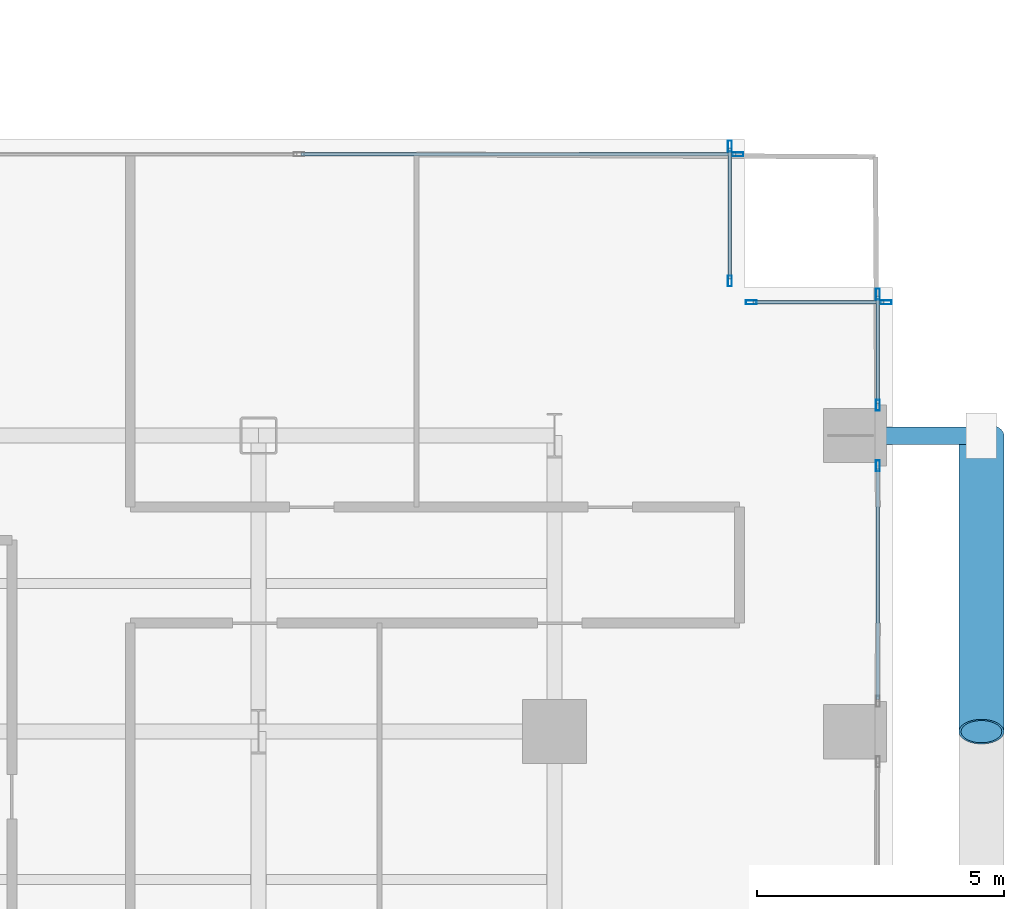
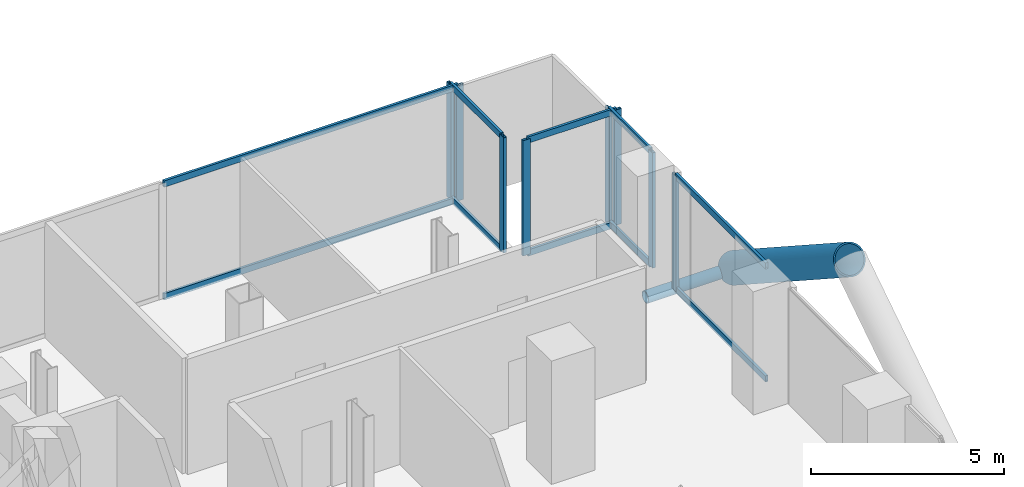
# One storey, part 12 of 27: 20 members, 5 elements without a shape of their own.
"""IFC4 building model written with IfcOpenShell, lengths in metres."""

from ifc_helpers import new_model, si_unit, direction, frame, origin, origin_2d, place, context, subcontext, project, spatial, hollow_rectangle, hollow_circle, extrude, material, layer, layer_set, material_profile, profile_set, type_object, element, aggregate, save


model = new_model("IFC4")

# Units and contexts
model_context = context("Model", 3, precision=1e-05, world=origin(), true_north=direction((0.0, 1.0)))
body_context = subcontext(model_context, "Body", "Model", "MODEL_VIEW")
ifc_project = project(units=[si_unit("LENGTHUNIT", "METRE"), si_unit("AREAUNIT", "SQUARE_METRE"), si_unit("VOLUMEUNIT", "CUBIC_METRE"), si_unit("PLANEANGLEUNIT", "RADIAN"), si_unit("MASSUNIT", "GRAM", prefix="KILO"), si_unit("THERMODYNAMICTEMPERATUREUNIT", "KELVIN"), si_unit("POWERUNIT", "WATT")], contexts=[model_context])

# Site, building, storey
site_placement = place(None, origin())
site = spatial("IfcSite", under=ifc_project, at=site_placement, CompositionType="ELEMENT")
building_placement = place(site_placement, origin())
building = spatial("IfcBuilding", under=site, at=building_placement, Name="Svarakhadi Broadcast Tower", CompositionType="ELEMENT")
storey_placement = place(building_placement, frame((0.0, 0.0, 87.0)))
storey = spatial("IfcBuildingStorey", under=building, at=storey_placement, Name="L20", CompositionType="ELEMENT", Elevation=87.0)

# Curtain wall, member
ifc_material_1 = material(Name="Anodised Bronze Aluminium AA 6063-T6", Category="aluminium")
ifc_layer = layer(ifc_material_1, 0.219970703125)
ifc_layer_set = layer_set([ifc_layer], Name="Anodised Bronze Aluminium AA 6063-T6")
curtain_wall_type = type_object("IfcCurtainWallType", Name="CW_Sys_02", PredefinedType="NOTDEFINED", material=ifc_layer_set)
curtain_wall_1_placement = place(storey_placement, origin())
curtain_wall_1 = element("IfcCurtainWall", 1, at=curtain_wall_1_placement, inside=storey, type_object=curtain_wall_type, Name="L20 Unitised Facade Curtain Wall 10", PredefinedType="NOTDEFINED")
ifc_material_profile_1 = material_profile(ifc_material_1, hollow_rectangle(XDim=0.0849609375, YDim=0.219970703125, WallThickness=0.006103515625, at=origin_2d()), Name="ALU MULLION 220x85x6")
ifc_profile_set_1 = profile_set([ifc_material_profile_1], Name="Anodised Bronze Aluminium AA 6063-T6")
member_type_1 = type_object("IfcMemberType", Name="CW_Sys_02_Mul", PredefinedType="MULLION", material=ifc_profile_set_1)
member_1_placement = place(storey_placement, frame((50.867431640625, 23.699951171875, 0.0), z_axis=(0.0, 0.0, 1.0), x_axis=(0.0, 1.0, 0.0)))
member_1 = element("IfcMember", 2, at=member_1_placement, type_object=member_type_1, Name="CW-02 mullion 4", PredefinedType="MULLION", context=body_context, shape_type="SweptSolid", body=[
    extrude(hollow_rectangle(XDim=0.0849609375, YDim=0.219970703125, WallThickness=0.006103515625, at=origin_2d()), origin(), (0.0, 0.0, 1.0), 3.64990234375),
])

# Curtain wall, members
curtain_wall_2_placement = place(storey_placement, origin())
curtain_wall_2 = element("IfcCurtainWall", 3, at=curtain_wall_2_placement, inside=storey, type_object=curtain_wall_type, Name="L20 Unitised Facade Curtain Wall 11", PredefinedType="NOTDEFINED")
member_2_placement = place(storey_placement, frame((50.699951171875, 23.867431640625, 0.0), z_axis=(0.0, 0.0, 1.0), x_axis=(1.0, 0.0, 0.0)))
member_2 = element("IfcMember", 4, at=member_2_placement, type_object=member_type_1, Name="CW-02 mullion 1", PredefinedType="MULLION", context=body_context, shape_type="SweptSolid", body=[
    extrude(hollow_rectangle(XDim=0.0849609375, YDim=0.219970703125, WallThickness=0.006103515625, at=origin_2d()), origin(), (0.0, 0.0, 1.0), 3.64990234375),
])
member_3_placement = place(storey_placement, frame((50.699951171875, 21.132568359375, 0.0), z_axis=(0.0, 0.0, 1.0), x_axis=(1.0, 0.0, 0.0)))
member_3 = element("IfcMember", 5, at=member_3_placement, type_object=member_type_1, Name="CW-02 mullion 2", PredefinedType="MULLION", context=body_context, shape_type="SweptSolid", body=[
    extrude(hollow_rectangle(XDim=0.0849609375, YDim=0.219970703125, WallThickness=0.006103515625, at=origin_2d()), origin(), (0.0, 0.0, 1.0), 3.64990234375),
])

curtain_wall_3_placement = place(storey_placement, origin())
curtain_wall_3 = element("IfcCurtainWall", 6, at=curtain_wall_3_placement, inside=storey, type_object=curtain_wall_type, Name="L20 Unitised Facade Curtain Wall 12", PredefinedType="NOTDEFINED")
member_4_placement = place(storey_placement, frame((51.132568359375, 20.699951171875, 0.0), z_axis=(0.0, 0.0, 1.0), x_axis=(0.0, 1.0, 0.0)))
member_4 = element("IfcMember", 7, at=member_4_placement, type_object=member_type_1, Name="CW-02 mullion 1", PredefinedType="MULLION", context=body_context, shape_type="SweptSolid", body=[
    extrude(hollow_rectangle(XDim=0.0849609375, YDim=0.219970703125, WallThickness=0.006103515625, at=origin_2d()), origin(), (0.0, 0.0, 1.0), 3.64990234375),
])
member_5_placement = place(storey_placement, frame((53.867431640625, 20.699951171875, 0.0), z_axis=(0.0, 0.0, 1.0), x_axis=(0.0, 1.0, 0.0)))
member_5 = element("IfcMember", 8, at=member_5_placement, type_object=member_type_1, Name="CW-02 mullion 2", PredefinedType="MULLION", context=body_context, shape_type="SweptSolid", body=[
    extrude(hollow_rectangle(XDim=0.0849609375, YDim=0.219970703125, WallThickness=0.006103515625, at=origin_2d()), origin(), (0.0, 0.0, 1.0), 3.64990234375),
])

curtain_wall_4_placement = place(storey_placement, origin())
curtain_wall_4 = element("IfcCurtainWall", 9, at=curtain_wall_4_placement, inside=storey, type_object=curtain_wall_type, Name="L20 Unitised Facade Curtain Wall 13 Bay 1", PredefinedType="NOTDEFINED")
member_6_placement = place(storey_placement, frame((53.699951171875, 20.867431640625, 0.0), z_axis=(0.0, 0.0, 1.0), x_axis=(1.0, 0.0, 0.0)))
member_6 = element("IfcMember", 10, at=member_6_placement, type_object=member_type_1, Name="CW-02 mullion 1", PredefinedType="MULLION", context=body_context, shape_type="SweptSolid", body=[
    extrude(hollow_rectangle(XDim=0.0849609375, YDim=0.219970703125, WallThickness=0.006103515625, at=origin_2d()), origin(), (0.0, 0.0, 1.0), 3.64990234375),
])
member_7_placement = place(storey_placement, frame((53.699951171875, 18.612548828125, 0.0), z_axis=(0.0, 0.0, 1.0), x_axis=(1.0, 0.0, 0.0)))
member_7 = element("IfcMember", 11, at=member_7_placement, type_object=member_type_1, Name="CW-02 mullion 2", PredefinedType="MULLION", context=body_context, shape_type="SweptSolid", body=[
    extrude(hollow_rectangle(XDim=0.0849609375, YDim=0.219970703125, WallThickness=0.006103515625, at=origin_2d()), origin(), (0.0, 0.0, 1.0), 3.64990234375),
])

# Curtain wall, member
curtain_wall_5_placement = place(storey_placement, origin())
curtain_wall_5 = element("IfcCurtainWall", 12, at=curtain_wall_5_placement, inside=storey, type_object=curtain_wall_type, Name="L20 Unitised Facade Curtain Wall 13 Bay 2", PredefinedType="NOTDEFINED")
member_8_placement = place(storey_placement, frame((53.699951171875, 17.387451171875, 0.0), z_axis=(0.0, 0.0, 1.0), x_axis=(1.0, 0.0, 0.0)))
member_8 = element("IfcMember", 13, at=member_8_placement, type_object=member_type_1, Name="CW-02 mullion 1", PredefinedType="MULLION", context=body_context, shape_type="SweptSolid", body=[
    extrude(hollow_rectangle(XDim=0.0849609375, YDim=0.219970703125, WallThickness=0.006103515625, at=origin_2d()), origin(), (0.0, 0.0, 1.0), 3.64990234375),
])

# Member
ifc_material_profile_2 = material_profile(ifc_material_1, hollow_rectangle(XDim=0.074951171875, YDim=0.199951171875, WallThickness=0.0048828125, at=origin_2d()), Name="ALU TRANSOM 200x75x5")
ifc_profile_set_2 = profile_set([ifc_material_profile_2], Name="Anodised Bronze Aluminium AA 6063-T6")
member_type_2 = type_object("IfcMemberType", Name="CW_Sys_02_Trn", PredefinedType="USERDEFINED", material=ifc_profile_set_2)
member_9_placement = place(storey_placement, frame((42.012451171875, 23.699951171875, 0.03759765625), z_axis=(1.0, 0.0, 0.0), x_axis=(0.0, 1.0, 0.0)))
member_9 = element("IfcMember", 14, at=member_9_placement, type_object=member_type_2, Name="CW-02 transom 3.1", ObjectType="TRANSOM", PredefinedType="USERDEFINED", context=body_context, shape_type="SweptSolid", body=[
    extrude(hollow_rectangle(XDim=0.074951171875, YDim=0.199951171875, WallThickness=0.0048828125, at=origin_2d()), origin(), (0.0, 0.0, 1.0), 8.8125),
])

member_10_placement = place(storey_placement, frame((42.012451171875, 23.699951171875, 3.612548828125), z_axis=(1.0, 0.0, 0.0), x_axis=(0.0, 1.0, 0.0)))
member_10 = element("IfcMember", 15, at=member_10_placement, type_object=member_type_2, Name="CW-02 transom 3.2", ObjectType="TRANSOM", PredefinedType="USERDEFINED", context=body_context, shape_type="SweptSolid", body=[
    extrude(hollow_rectangle(XDim=0.074951171875, YDim=0.199951171875, WallThickness=0.0048828125, at=origin_2d()), origin(), (0.0, 0.0, 1.0), 8.8125),
])

aggregate(curtain_wall_1, [member_1, member_9, member_10])

member_11_placement = place(storey_placement, frame((50.699951171875, 23.824951171875, 0.03759765625), z_axis=(0.0, -1.0, 0.0), x_axis=(1.0, 0.0, 0.0)))
member_11 = element("IfcMember", 16, at=member_11_placement, type_object=member_type_2, Name="CW-02 transom 1.1", ObjectType="TRANSOM", PredefinedType="USERDEFINED", context=body_context, shape_type="SweptSolid", body=[
    extrude(hollow_rectangle(XDim=0.074951171875, YDim=0.199951171875, WallThickness=0.0048828125, at=origin_2d()), origin(), (0.0, 0.0, 1.0), 2.64990234375),
])

member_12_placement = place(storey_placement, frame((50.699951171875, 23.824951171875, 3.612548828125), z_axis=(0.0, -1.0, 0.0), x_axis=(1.0, 0.0, 0.0)))
member_12 = element("IfcMember", 17, at=member_12_placement, type_object=member_type_2, Name="CW-02 transom 1.2", ObjectType="TRANSOM", PredefinedType="USERDEFINED", context=body_context, shape_type="SweptSolid", body=[
    extrude(hollow_rectangle(XDim=0.074951171875, YDim=0.199951171875, WallThickness=0.0048828125, at=origin_2d()), origin(), (0.0, 0.0, 1.0), 2.64990234375),
])

aggregate(curtain_wall_2, [member_2, member_3, member_11, member_12])

member_13_placement = place(storey_placement, frame((51.175048828125, 20.699951171875, 0.03759765625), z_axis=(1.0, 0.0, 0.0), x_axis=(0.0, 1.0, 0.0)))
member_13 = element("IfcMember", 18, at=member_13_placement, type_object=member_type_2, Name="CW-02 transom 1.1", ObjectType="TRANSOM", PredefinedType="USERDEFINED", context=body_context, shape_type="SweptSolid", body=[
    extrude(hollow_rectangle(XDim=0.074951171875, YDim=0.199951171875, WallThickness=0.0048828125, at=origin_2d()), origin(), (0.0, 0.0, 1.0), 2.64990234375),
])

member_14_placement = place(storey_placement, frame((51.175048828125, 20.699951171875, 3.612548828125), z_axis=(1.0, 0.0, 0.0), x_axis=(0.0, 1.0, 0.0)))
member_14 = element("IfcMember", 19, at=member_14_placement, type_object=member_type_2, Name="CW-02 transom 1.2", ObjectType="TRANSOM", PredefinedType="USERDEFINED", context=body_context, shape_type="SweptSolid", body=[
    extrude(hollow_rectangle(XDim=0.074951171875, YDim=0.199951171875, WallThickness=0.0048828125, at=origin_2d()), origin(), (0.0, 0.0, 1.0), 2.64990234375),
])

aggregate(curtain_wall_3, [member_4, member_5, member_13, member_14])

member_15_placement = place(storey_placement, frame((53.699951171875, 20.824951171875, 0.03759765625), z_axis=(0.0, -1.0, 0.0), x_axis=(1.0, 0.0, 0.0)))
member_15 = element("IfcMember", 20, at=member_15_placement, type_object=member_type_2, Name="CW-02 transom 1.1", ObjectType="TRANSOM", PredefinedType="USERDEFINED", context=body_context, shape_type="SweptSolid", body=[
    extrude(hollow_rectangle(XDim=0.074951171875, YDim=0.199951171875, WallThickness=0.0048828125, at=origin_2d()), origin(), (0.0, 0.0, 1.0), 2.169921875),
])

member_16_placement = place(storey_placement, frame((53.699951171875, 20.824951171875, 3.612548828125), z_axis=(0.0, -1.0, 0.0), x_axis=(1.0, 0.0, 0.0)))
member_16 = element("IfcMember", 21, at=member_16_placement, type_object=member_type_2, Name="CW-02 transom 1.2", ObjectType="TRANSOM", PredefinedType="USERDEFINED", context=body_context, shape_type="SweptSolid", body=[
    extrude(hollow_rectangle(XDim=0.074951171875, YDim=0.199951171875, WallThickness=0.0048828125, at=origin_2d()), origin(), (0.0, 0.0, 1.0), 2.169921875),
])

aggregate(curtain_wall_4, [member_6, member_7, member_15, member_16])

member_17_placement = place(storey_placement, frame((53.699951171875, 17.344970703125, 0.03759765625), z_axis=(0.0, -1.0, 0.0), x_axis=(1.0, 0.0, 0.0)))
member_17 = element("IfcMember", 22, at=member_17_placement, type_object=member_type_2, Name="CW-02 transom 1.1", ObjectType="TRANSOM", PredefinedType="USERDEFINED", context=body_context, shape_type="SweptSolid", body=[
    extrude(hollow_rectangle(XDim=0.074951171875, YDim=0.199951171875, WallThickness=0.0048828125, at=origin_2d()), origin(), (0.0, 0.0, 1.0), 4.68994140625),
])

member_18_placement = place(storey_placement, frame((53.699951171875, 17.344970703125, 3.612548828125), z_axis=(0.0, -1.0, 0.0), x_axis=(1.0, 0.0, 0.0)))
member_18 = element("IfcMember", 23, at=member_18_placement, type_object=member_type_2, Name="CW-02 transom 1.2", ObjectType="TRANSOM", PredefinedType="USERDEFINED", context=body_context, shape_type="SweptSolid", body=[
    extrude(hollow_rectangle(XDim=0.074951171875, YDim=0.199951171875, WallThickness=0.0048828125, at=origin_2d()), origin(), (0.0, 0.0, 1.0), 4.68994140625),
])

aggregate(curtain_wall_5, [member_8, member_17, member_18])

# Members
ifc_material_2 = material(Name="Steel S460ML (IS 2062 E450BR)", Category="steel")
ifc_material_profile_3 = material_profile(ifc_material_2, hollow_circle(Radius=0.45703125, WallThickness=0.044921875, at=origin_2d()), Name="CHS 914x45")
ifc_profile_set_3 = profile_set([ifc_material_profile_3], Name="Steel S460ML (IS 2062 E450BR)")
member_type_3 = type_object("IfcMemberType", Name="Exo_Brace_CHS914", PredefinedType="BRACE", material=ifc_profile_set_3)
member_19_placement = place(storey_placement, frame((55.800048828125, 18.0, -0.427734375), z_axis=(0.0, -0.838449851971, 0.544978757136), x_axis=(1.0, 0.0, 0.0)))
element("IfcMember", 24, at=member_19_placement, inside=storey, type_object=member_type_3, Name="L20 Exposed Bronze Exoskeleton Diagonal E11", PredefinedType="BRACE", context=body_context, shape_type="SweptSolid", body=[
    extrude(hollow_circle(Radius=0.45703125, WallThickness=0.044921875, at=origin_2d()), origin(), (0.0, 0.0, 1.0), 7.156005859375),
])
ifc_material_profile_4 = material_profile(ifc_material_2, hollow_circle(Radius=0.177734375, WallThickness=0.02001953125, at=origin_2d()), Name="CHS 355.6x20")
ifc_profile_set_4 = profile_set([ifc_material_profile_4], Name="Steel S460ML (IS 2062 E450BR)")
member_type_4 = type_object("IfcMemberType", Name="Exo_Radial_Strut_Z1", PredefinedType="STRUT", material=ifc_profile_set_4)
member_20_placement = place(storey_placement, frame((55.800048828125, 18.0, -0.427734375), z_axis=(-1.0, 0.0, 0.0), x_axis=(0.0, -1.0, 0.0)))
element("IfcMember", 25, at=member_20_placement, inside=storey, type_object=member_type_4, Name="L20 Exoskeleton Radial Tie Strut E10", PredefinedType="STRUT", context=body_context, shape_type="SweptSolid", body=[
    extrude(hollow_circle(Radius=0.177734375, WallThickness=0.02001953125, at=origin_2d()), origin(), (0.0, 0.0, 1.0), 2.650146484375),
])

save(model, "model.ifc")
